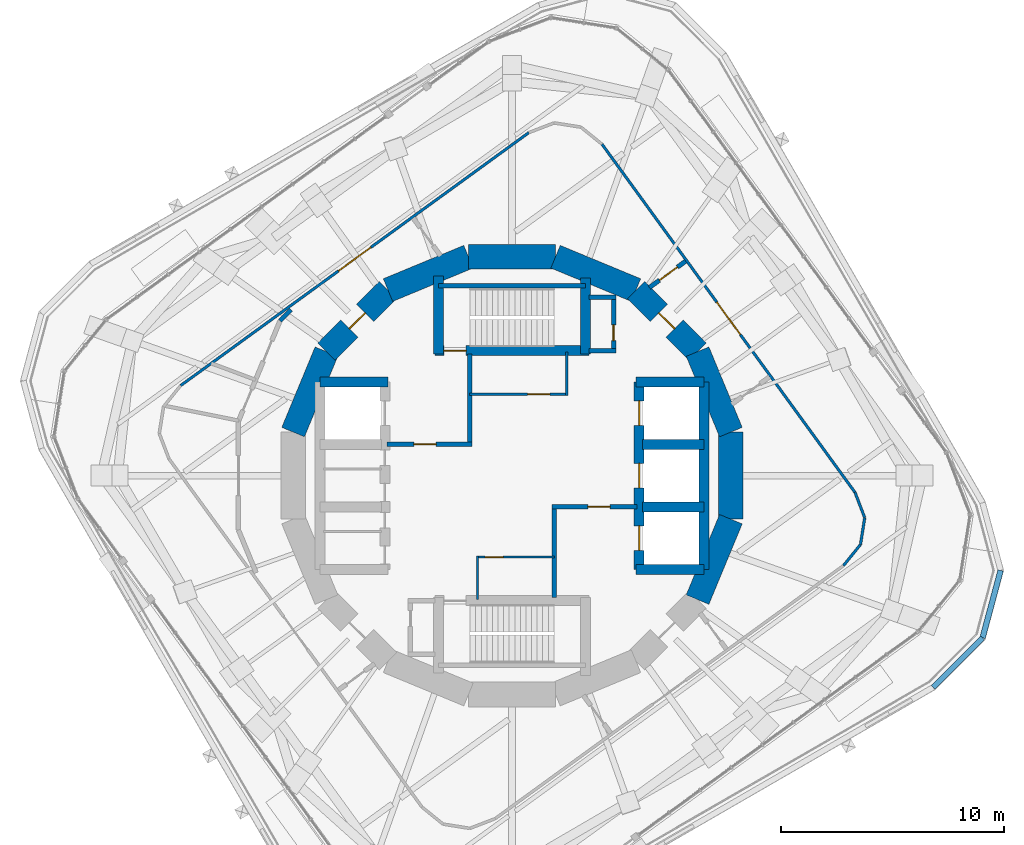
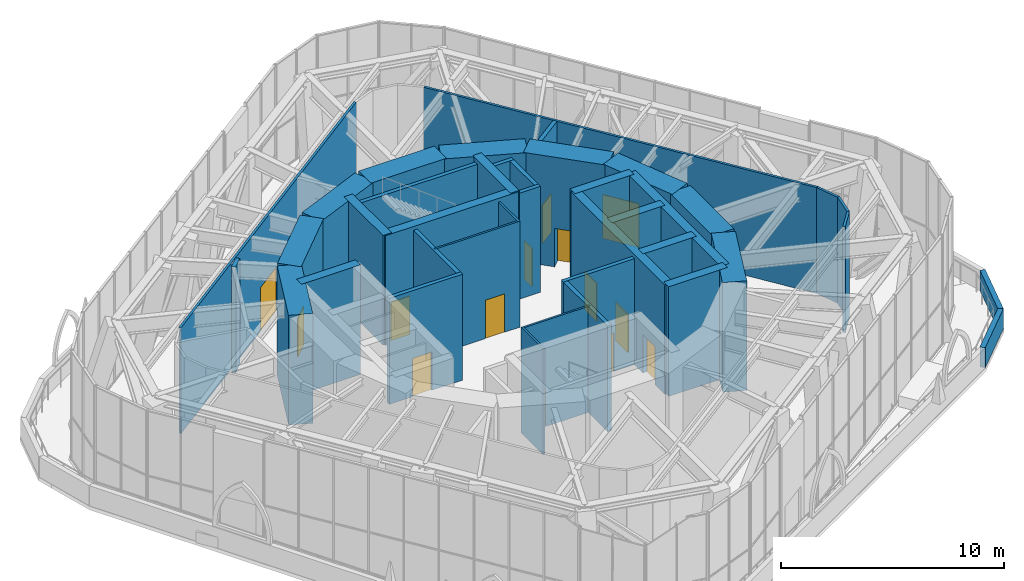
# One storey, part 14 of 18: 40 walls, 14 doors, 14 openings.
"""IFC4 building model written with IfcOpenShell, lengths in metres."""

from ifc_helpers import new_model, si_unit, direction, frame, frame_2d, origin, place, context, subcontext, project, spatial, rectangle, extrude, material, layer, layer_set, type_object, element, fill, save


model = new_model("IFC4")

# Units and contexts
model_context = context("Model", 3, precision=1e-05, world=origin(), true_north=direction((0.0, 1.0)))
body_context = subcontext(model_context, "Body", "Model", "MODEL_VIEW")
ifc_project = project(units=[si_unit("LENGTHUNIT", "METRE"), si_unit("AREAUNIT", "SQUARE_METRE"), si_unit("VOLUMEUNIT", "CUBIC_METRE"), si_unit("PLANEANGLEUNIT", "RADIAN"), si_unit("MASSUNIT", "GRAM", prefix="KILO")], contexts=[model_context])

# Site, building, storey
site_placement = place(None, origin())
site = spatial("IfcSite", under=ifc_project, at=site_placement, CompositionType="ELEMENT")
building_placement = place(site_placement, origin())
building = spatial("IfcBuilding", under=site, at=building_placement, Name="Nakasero Lantern House", CompositionType="ELEMENT")
storey_placement = place(building_placement, frame((0.0, 0.0, 257.75)))
storey = spatial("IfcBuildingStorey", under=building, at=storey_placement, Name="L63", CompositionType="ELEMENT", Elevation=257.75)

# Wall, openings, doors
ifc_material_1 = material(Name="Concrete C50/60", Category="concrete")
ifc_layer_1 = layer(ifc_material_1, 0.449951171875)
ifc_layer_set_1 = layer_set([ifc_layer_1], Name="Core inner wall 450")
wall_type_1 = type_object("IfcWallType", Name="Core inner wall 450", PredefinedType="SHEAR", material=ifc_layer_set_1)
wall_1_placement = place(storey_placement, frame((5.699951171875, -4.199951171875, 0.0), z_axis=(0.0, 0.0, 1.0), x_axis=(0.0, 1.0, 0.0)))
wall_1 = element("IfcWall", 1, at=wall_1_placement, inside=storey, type_object=wall_type_1, Name="Core inner wall L63 LE", PredefinedType="SHEAR", context=body_context, shape_type="SweptSolid", body=[
    extrude(rectangle(XDim=8.39990234375, YDim=0.449951171875, at=frame_2d((4.199951171875, 0.0))), origin(), (0.0, 0.0, 1.0), 6.0),
])
opening_1_placement = place(wall_1_placement, frame((0.85009765625, 0.0, 0.0)))
opening_1 = element("IfcOpeningElement", 2, at=opening_1_placement, cuts=wall_1, Name="Opening LD", PredefinedType="OPENING", context=body_context, shape_type="SweptSolid", body=[
    extrude(rectangle(XDim=1.10009765625, YDim=2.10009765625, at=frame_2d((0.550048828125, 1.050048828125))), frame((0.0, 0.244873046875, 0.0), z_axis=(0.0, -1.0, 0.0), x_axis=(1.0, 0.0, 0.0)), (0.0, 0.0, 1.0), 0.489990234375),
])
opening_2_placement = place(wall_1_placement, frame((3.64990234375, 0.0, 0.0)))
opening_2 = element("IfcOpeningElement", 3, at=opening_2_placement, cuts=wall_1, Name="Opening LD", PredefinedType="OPENING", context=body_context, shape_type="SweptSolid", body=[
    extrude(rectangle(XDim=1.10009765625, YDim=2.10009765625, at=frame_2d((0.550048828125, 1.050048828125))), frame((0.0, 0.244873046875, 0.0), z_axis=(0.0, -1.0, 0.0), x_axis=(1.0, 0.0, 0.0)), (0.0, 0.0, 1.0), 0.489990234375),
])
opening_3_placement = place(wall_1_placement, frame((6.449951171875, 0.0, 0.0)))
opening_3 = element("IfcOpeningElement", 4, at=opening_3_placement, cuts=wall_1, Name="Opening LD", PredefinedType="OPENING", context=body_context, shape_type="SweptSolid", body=[
    extrude(rectangle(XDim=1.10009765625, YDim=2.10009765625, at=frame_2d((0.550048828125, 1.050048828125))), frame((0.0, 0.244873046875, 0.0), z_axis=(0.0, -1.0, 0.0), x_axis=(1.0, 0.0, 0.0)), (0.0, 0.0, 1.0), 0.489990234375),
])
ifc_material_2 = material(Name="Steel S355", Category="steel")
door_type_1 = type_object("IfcDoorType", Name="Lift landing door E120 1100", OperationType="SLIDING_TO_LEFT", PredefinedType="DOOR", material=ifc_material_2)
door_1_placement = place(opening_1_placement, origin())
door_1 = element("IfcDoor", 5, at=door_1_placement, inside=storey, type_object=door_type_1, Name="Lift landing door LE1", OperationType="SLIDING_TO_LEFT", OverallHeight=2.10009765625, OverallWidth=1.10009765625, PredefinedType="DOOR", context=body_context, shape_type="SweptSolid", body=[
    extrude(rectangle(XDim=1.10009765625, YDim=2.10009765625, at=frame_2d((0.550048828125, 1.050048828125))), frame((0.0, 0.02490234375, 0.0), z_axis=(0.0, -1.0, 0.0), x_axis=(1.0, 0.0, 0.0)), (0.0, 0.0, 1.0), 0.050048828125),
])
fill(opening_1, door_1)
door_2_placement = place(opening_2_placement, origin())
door_2 = element("IfcDoor", 6, at=door_2_placement, inside=storey, type_object=door_type_1, Name="Lift landing door LE2", OperationType="SLIDING_TO_LEFT", OverallHeight=2.10009765625, OverallWidth=1.10009765625, PredefinedType="DOOR", context=body_context, shape_type="SweptSolid", body=[
    extrude(rectangle(XDim=1.10009765625, YDim=2.10009765625, at=frame_2d((0.550048828125, 1.050048828125))), frame((0.0, 0.02490234375, 0.0), z_axis=(0.0, -1.0, 0.0), x_axis=(1.0, 0.0, 0.0)), (0.0, 0.0, 1.0), 0.050048828125),
])
fill(opening_2, door_2)
door_3_placement = place(opening_3_placement, origin())
door_3 = element("IfcDoor", 7, at=door_3_placement, inside=storey, type_object=door_type_1, Name="Lift landing door LE3", OperationType="SLIDING_TO_LEFT", OverallHeight=2.10009765625, OverallWidth=1.10009765625, PredefinedType="DOOR", context=body_context, shape_type="SweptSolid", body=[
    extrude(rectangle(XDim=1.10009765625, YDim=2.10009765625, at=frame_2d((0.550048828125, 1.050048828125))), frame((0.0, 0.02490234375, 0.0), z_axis=(0.0, -1.0, 0.0), x_axis=(1.0, 0.0, 0.0)), (0.0, 0.0, 1.0), 0.050048828125),
])
fill(opening_3, door_3)

# Walls
for number, where, z_axis, x_axis, name in (
    (8, (-8.60009765625, 4.199951171875, 0.0), (0.0, 0.0, 1.0), (1.0, 0.0, 0.0), "Core inner wall L63 LWN"),
    (9, (5.550048828125, 4.199951171875, 0.0), (0.0, 0.0, 1.0), (1.0, 0.0, 0.0), "Core inner wall L63 LEN"),
    (10, (5.550048828125, -4.199951171875, 0.0), (0.0, 0.0, 1.0), (1.0, 0.0, 0.0), "Core inner wall L63 LES"),
):
    element("IfcWall", number, at=place(storey_placement, frame(where, z_axis=z_axis, x_axis=x_axis)), inside=storey, type_object=wall_type_1, Name=name, PredefinedType="SHEAR", context=body_context, shape_type="SweptSolid", body=[
        extrude(rectangle(XDim=3.050048828125, YDim=0.449951171875, at=frame_2d((1.52490234375, 0.0))), origin(), (0.0, 0.0, 1.0), 6.0),
    ])
wall_2_placement = place(storey_placement, frame((8.60009765625, -4.199951171875, 0.0), z_axis=(0.0, 0.0, 1.0), x_axis=(0.0, 1.0, 0.0)))
element("IfcWall", 11, at=wall_2_placement, inside=storey, type_object=wall_type_1, Name="Core inner wall L63 LEB", PredefinedType="SHEAR", context=body_context, shape_type="SweptSolid", body=[
    extrude(rectangle(XDim=8.39990234375, YDim=0.449951171875, at=frame_2d((4.199951171875, 0.0))), origin(), (0.0, 0.0, 1.0), 6.0),
])
for number, where, z_axis, x_axis, name in (
    (12, (5.85009765625, -1.39990234375, 0.0), (0.0, 0.0, 1.0), (1.0, 0.0, 0.0), "Core inner wall L63 LE1"),
    (13, (5.85009765625, 1.39990234375, 0.0), (0.0, 0.0, 1.0), (1.0, 0.0, 0.0), "Core inner wall L63 LE2"),
):
    element("IfcWall", number, at=place(storey_placement, frame(where, z_axis=z_axis, x_axis=x_axis)), inside=storey, type_object=wall_type_1, Name=name, PredefinedType="SHEAR", context=body_context, shape_type="SweptSolid", body=[
        extrude(rectangle(XDim=2.75, YDim=0.449951171875, at=frame_2d((1.375, 0.0))), origin(), (0.0, 0.0, 1.0), 6.0),
    ])

# Wall, opening, door
wall_3_placement = place(storey_placement, frame((-3.449951171875, 5.60009765625, 0.0), z_axis=(0.0, 0.0, 1.0), x_axis=(1.0, 0.0, 0.0)))
wall_3 = element("IfcWall", 14, at=wall_3_placement, inside=storey, type_object=wall_type_1, Name="Core inner wall L63 SN", PredefinedType="SHEAR", context=body_context, shape_type="SweptSolid", body=[
    extrude(rectangle(XDim=6.89990234375, YDim=0.449951171875, at=frame_2d((3.449951171875, 0.0))), origin(), (0.0, 0.0, 1.0), 6.0),
])
opening_4_placement = place(wall_3_placement, frame((0.39990234375, 0.0, 0.0)))
opening_4 = element("IfcOpeningElement", 15, at=opening_4_placement, cuts=wall_3, Name="Opening D05", PredefinedType="OPENING", context=body_context, shape_type="SweptSolid", body=[
    extrude(rectangle(XDim=1.0, YDim=2.10009765625, at=frame_2d((0.5, 1.050048828125))), frame((0.0, 0.244873046875, 0.0), z_axis=(0.0, -1.0, 0.0), x_axis=(1.0, 0.0, 0.0)), (0.0, 0.0, 1.0), 0.489990234375),
])
ifc_material_3 = material(Name="Timber C24", Category="wood")
door_type_2 = type_object("IfcDoorType", Name="Core door FD60S 1000", OperationType="SINGLE_SWING_LEFT", PredefinedType="DOOR", material=ifc_material_3)
door_4_placement = place(opening_4_placement, origin())
door_4 = element("IfcDoor", 16, at=door_4_placement, inside=storey, type_object=door_type_2, Name="Door L63 D-ST1", OperationType="SINGLE_SWING_LEFT", OverallHeight=2.10009765625, OverallWidth=1.0, PredefinedType="DOOR", context=body_context, shape_type="SweptSolid", body=[
    extrude(rectangle(XDim=1.0, YDim=2.10009765625, at=frame_2d((0.5, 1.050048828125))), frame((0.0, 0.02490234375, 0.0), z_axis=(0.0, -1.0, 0.0), x_axis=(1.0, 0.0, 0.0)), (0.0, 0.0, 1.0), 0.050048828125),
])
fill(opening_4, door_4)

# Walls
wall_4_placement = place(storey_placement, frame((-3.300048828125, 5.449951171875, 0.0), z_axis=(0.0, 0.0, 1.0), x_axis=(0.0, 1.0, 0.0)))
element("IfcWall", 17, at=wall_4_placement, inside=storey, type_object=wall_type_1, Name="Core inner wall L63 SNW", PredefinedType="SHEAR", context=body_context, shape_type="SweptSolid", body=[
    extrude(rectangle(XDim=3.5, YDim=0.449951171875, at=frame_2d((1.75, 0.0))), origin(), (0.0, 0.0, 1.0), 6.0),
])
wall_5_placement = place(storey_placement, frame((3.300048828125, 5.449951171875, 0.0), z_axis=(0.0, 0.0, 1.0), x_axis=(0.0, 1.0, 0.0)))
element("IfcWall", 18, at=wall_5_placement, inside=storey, type_object=wall_type_1, Name="Core inner wall L63 SNE", PredefinedType="SHEAR", context=body_context, shape_type="SweptSolid", body=[
    extrude(rectangle(XDim=3.400146484375, YDim=0.449951171875, at=frame_2d((1.7001953125, 0.0))), origin(), (0.0, 0.0, 1.0), 6.0),
])

# Wall, opening, door
ifc_material_4 = material(Name="Blockwork", Category="masonry")
ifc_layer_2 = layer(ifc_material_4, 0.10009765625)
ifc_layer_set_2 = layer_set([ifc_layer_2], Name="Core room wall 100")
wall_type_2 = type_object("IfcWallType", Name="Core room wall 100", PredefinedType="PARTITIONING", material=ifc_layer_set_2)
wall_6_placement = place(storey_placement, frame((-1.89990234375, 3.64990234375, 0.0), z_axis=(0.0, 0.0, 1.0), x_axis=(1.0, 0.0, 0.0)))
wall_6 = element("IfcWall", 19, at=wall_6_placement, inside=storey, type_object=wall_type_2, Name="Core room wall L63 CR-NES", PredefinedType="PARTITIONING", context=body_context, shape_type="SweptSolid", body=[
    extrude(rectangle(XDim=4.39990234375, YDim=0.10009765625, at=frame_2d((2.199951171875, 0.0))), origin(), (0.0, 0.0, 1.0), 5.800048828125),
])
opening_5_placement = place(wall_6_placement, frame((2.60009765625, 0.0, 0.0)))
opening_5 = element("IfcOpeningElement", 20, at=opening_5_placement, cuts=wall_6, Name="Opening D07", PredefinedType="OPENING", context=body_context, shape_type="SweptSolid", body=[
    extrude(rectangle(XDim=1.0, YDim=2.10009765625, at=frame_2d((0.5, 1.050048828125))), frame((0.0, 0.070068359375, 0.0), z_axis=(0.0, -1.0, 0.0), x_axis=(1.0, 0.0, 0.0)), (0.0, 0.0, 1.0), 0.14013671875),
])
ifc_material_5 = material(Name="Timber C24", Category="wood")
door_type_3 = type_object("IfcDoorType", Name="Room door FD30S 1000", OperationType="SINGLE_SWING_LEFT", PredefinedType="DOOR", material=ifc_material_5)
door_5_placement = place(opening_5_placement, origin())
door_5 = element("IfcDoor", 21, at=door_5_placement, inside=storey, type_object=door_type_3, Name="Door L63 D-CR-NE", OperationType="SINGLE_SWING_RIGHT", OverallHeight=2.10009765625, OverallWidth=1.0, PredefinedType="DOOR", context=body_context, shape_type="SweptSolid", body=[
    extrude(rectangle(XDim=1.0, YDim=2.10009765625, at=frame_2d((0.5, 1.050048828125))), frame((0.0, 0.02490234375, 0.0), z_axis=(0.0, -1.0, 0.0), x_axis=(1.0, 0.0, 0.0)), (0.0, 0.0, 1.0), 0.050048828125),
])
fill(opening_5, door_5)

# Wall
wall_7_placement = place(storey_placement, frame((2.449951171875, 3.60009765625, 0.0), z_axis=(0.0, 0.0, 1.0), x_axis=(0.0, 1.0, 0.0)))
element("IfcWall", 22, at=wall_7_placement, inside=storey, type_object=wall_type_2, Name="Core room wall L63 CR-NEE", PredefinedType="PARTITIONING", context=body_context, shape_type="SweptSolid", body=[
    extrude(rectangle(XDim=1.949951171875, YDim=0.10009765625, at=frame_2d((0.97509765625, 0.0))), origin(), (0.0, 0.0, 1.0), 5.800048828125),
])

# Wall, opening, door
wall_8_placement = place(storey_placement, frame((-1.60009765625, -3.64990234375, 0.0), z_axis=(0.0, 0.0, 1.0), x_axis=(1.0, 0.0, 0.0)))
wall_8 = element("IfcWall", 23, at=wall_8_placement, inside=storey, type_object=wall_type_2, Name="Core room wall L63 CR-SWN", PredefinedType="PARTITIONING", context=body_context, shape_type="SweptSolid", body=[
    extrude(rectangle(XDim=3.5, YDim=0.10009765625, at=frame_2d((1.75, 0.0))), origin(), (0.0, 0.0, 1.0), 5.800048828125),
])
opening_6_placement = place(wall_8_placement, frame((0.39990234375, 0.0, 0.0)))
opening_6 = element("IfcOpeningElement", 24, at=opening_6_placement, cuts=wall_8, Name="Opening D15", PredefinedType="OPENING", context=body_context, shape_type="SweptSolid", body=[
    extrude(rectangle(XDim=0.800048828125, YDim=2.10009765625, at=frame_2d((0.39990234375, 1.050048828125))), frame((0.0, 0.070068359375, 0.0), z_axis=(0.0, -1.0, 0.0), x_axis=(1.0, 0.0, 0.0)), (0.0, 0.0, 1.0), 0.14013671875),
])
ifc_material_6 = material(Name="Timber C24", Category="wood")
door_type_4 = type_object("IfcDoorType", Name="Cleaner's store door FD30S 800", OperationType="SINGLE_SWING_LEFT", PredefinedType="DOOR", material=ifc_material_6)
door_6_placement = place(opening_6_placement, origin())
door_6 = element("IfcDoor", 25, at=door_6_placement, inside=storey, type_object=door_type_4, Name="Door L63 D-CR-SW", OperationType="SINGLE_SWING_LEFT", OverallHeight=2.10009765625, OverallWidth=0.800048828125, PredefinedType="DOOR", context=body_context, shape_type="SweptSolid", body=[
    extrude(rectangle(XDim=0.800048828125, YDim=2.10009765625, at=frame_2d((0.39990234375, 1.050048828125))), frame((0.0, 0.02490234375, 0.0), z_axis=(0.0, -1.0, 0.0), x_axis=(1.0, 0.0, 0.0)), (0.0, 0.0, 1.0), 0.050048828125),
])
fill(opening_6, door_6)

# Walls
wall_9_placement = place(storey_placement, frame((-1.550048828125, -5.550048828125, 0.0), z_axis=(0.0, 0.0, 1.0), x_axis=(0.0, 1.0, 0.0)))
element("IfcWall", 26, at=wall_9_placement, inside=storey, type_object=wall_type_2, Name="Core room wall L63 CR-SWW", PredefinedType="PARTITIONING", context=body_context, shape_type="SweptSolid", body=[
    extrude(rectangle(XDim=1.949951171875, YDim=0.10009765625, at=frame_2d((0.97509765625, 0.0))), origin(), (0.0, 0.0, 1.0), 5.800048828125),
])
ifc_material_7 = material(Name="Concrete C50/60", Category="concrete")
ifc_layer_3 = layer(ifc_material_7, 1.10009765625)
ifc_layer_set_3 = layer_set([ifc_layer_3], Name="Core wall 1100")
wall_type_3 = type_object("IfcWallType", Name="Core wall 1100", PredefinedType="SHEAR", material=ifc_layer_set_3)
wall_10_placement = place(storey_placement, frame((9.807861328125, 1.950927734375, 0.0), z_axis=(0.0, 0.0, 1.0), x_axis=(-0.382690736062, 0.923876507187, 0.0)))
element("IfcWall", 27, at=wall_10_placement, inside=storey, type_object=wall_type_3, Name="Core wall L63 facet 1", PredefinedType="SHEAR", context=body_context, shape_type="SweptSolid", body=[
    extrude(rectangle(XDim=3.90185546875, YDim=1.10009765625, at=frame_2d((1.950927734375, 0.0))), origin(), (0.0, 0.0, 1.0), 6.0),
])

# Wall, opening, door
wall_11_placement = place(storey_placement, frame((8.314697265625, 5.5556640625, 0.0), z_axis=(0.0, 0.0, 1.0), x_axis=(-0.707106781187, 0.707106781187, 0.0)))
wall_11 = element("IfcWall", 28, at=wall_11_placement, inside=storey, type_object=wall_type_3, Name="Core wall L63 facet 2", PredefinedType="SHEAR", context=body_context, shape_type="SweptSolid", body=[
    extrude(rectangle(XDim=3.90185546875, YDim=1.10009765625, at=frame_2d((1.950927734375, 0.0))), origin(), (0.0, 0.0, 1.0), 6.0),
])
opening_7_placement = place(wall_11_placement, frame((1.450927734375, 0.0, 0.0)))
opening_7 = element("IfcOpeningElement", 29, at=opening_7_placement, cuts=wall_11, Name="Opening D05", PredefinedType="OPENING", context=body_context, shape_type="SweptSolid", body=[
    extrude(rectangle(XDim=1.0, YDim=2.10009765625, at=frame_2d((0.5, 1.050048828125))), frame((0.0, 0.570068359375, 0.0), z_axis=(0.0, -1.0, 0.0), x_axis=(1.0, 0.0, 0.0)), (0.0, 0.0, 1.0), 1.14013671875),
])
door_7_placement = place(opening_7_placement, origin())
door_7 = element("IfcDoor", 30, at=door_7_placement, inside=storey, type_object=door_type_2, Name="Door L63 D-CORE02", OperationType="SINGLE_SWING_LEFT", OverallHeight=2.10009765625, OverallWidth=1.0, PredefinedType="DOOR", context=body_context, shape_type="SweptSolid", body=[
    extrude(rectangle(XDim=1.0, YDim=2.10009765625, at=frame_2d((0.5, 1.050048828125))), frame((0.0, 0.02490234375, 0.0), z_axis=(0.0, -1.0, 0.0), x_axis=(1.0, 0.0, 0.0)), (0.0, 0.0, 1.0), 0.050048828125),
])
fill(opening_7, door_7)

# Walls
for number, where, z_axis, x_axis, name in (
    (31, (5.5556640625, 8.314697265625, 0.0), (0.0, 0.0, 1.0), (-0.923876507187, 0.382690736062, 0.0), "Core wall L63 facet 3"),
    (32, (1.950927734375, 9.807861328125, 0.0), (0.0, 0.0, 1.0), (-1.0, 0.0, 0.0), "Core wall L63 facet 4"),
    (33, (-1.950927734375, 9.807861328125, 0.0), (0.0, 0.0, 1.0), (-0.923876507187, -0.382690736062, 0.0), "Core wall L63 facet 5"),
):
    element("IfcWall", number, at=place(storey_placement, frame(where, z_axis=z_axis, x_axis=x_axis)), inside=storey, type_object=wall_type_3, Name=name, PredefinedType="SHEAR", context=body_context, shape_type="SweptSolid", body=[
        extrude(rectangle(XDim=3.90185546875, YDim=1.10009765625, at=frame_2d((1.950927734375, 0.0))), origin(), (0.0, 0.0, 1.0), 6.0),
    ])

# Wall, opening, door
wall_12_placement = place(storey_placement, frame((-5.5556640625, 8.314697265625, 0.0), z_axis=(0.0, 0.0, 1.0), x_axis=(-0.707106781187, -0.707106781187, 0.0)))
wall_12 = element("IfcWall", 34, at=wall_12_placement, inside=storey, type_object=wall_type_3, Name="Core wall L63 facet 6", PredefinedType="SHEAR", context=body_context, shape_type="SweptSolid", body=[
    extrude(rectangle(XDim=3.90185546875, YDim=1.10009765625, at=frame_2d((1.950927734375, 0.0))), origin(), (0.0, 0.0, 1.0), 6.0),
])
opening_8_placement = place(wall_12_placement, frame((1.450927734375, 0.0, 0.0)))
opening_8 = element("IfcOpeningElement", 35, at=opening_8_placement, cuts=wall_12, Name="Opening D05", PredefinedType="OPENING", context=body_context, shape_type="SweptSolid", body=[
    extrude(rectangle(XDim=1.0, YDim=2.10009765625, at=frame_2d((0.5, 1.050048828125))), frame((0.0, 0.570068359375, 0.0), z_axis=(0.0, -1.0, 0.0), x_axis=(1.0, 0.0, 0.0)), (0.0, 0.0, 1.0), 1.14013671875),
])
door_8_placement = place(opening_8_placement, origin())
door_8 = element("IfcDoor", 36, at=door_8_placement, inside=storey, type_object=door_type_2, Name="Door L63 D-CORE06", OperationType="SINGLE_SWING_LEFT", OverallHeight=2.10009765625, OverallWidth=1.0, PredefinedType="DOOR", context=body_context, shape_type="SweptSolid", body=[
    extrude(rectangle(XDim=1.0, YDim=2.10009765625, at=frame_2d((0.5, 1.050048828125))), frame((0.0, 0.02490234375, 0.0), z_axis=(0.0, -1.0, 0.0), x_axis=(1.0, 0.0, 0.0)), (0.0, 0.0, 1.0), 0.050048828125),
])
fill(opening_8, door_8)

# Walls
for number, where, z_axis, x_axis, name in (
    (37, (-8.314697265625, 5.5556640625, 0.0), (0.0, 0.0, 1.0), (-0.382690736062, -0.923876507187, 0.0), "Core wall L63 facet 7"),
    (38, (8.314697265625, -5.5556640625, 0.0), (0.0, 0.0, 1.0), (0.382690736062, 0.923876507187, 0.0), "Core wall L63 facet 15"),
    (39, (9.807861328125, -1.950927734375, 0.0), (0.0, 0.0, 1.0), (0.0, 1.0, 0.0), "Core wall L63 facet 16"),
):
    element("IfcWall", number, at=place(storey_placement, frame(where, z_axis=z_axis, x_axis=x_axis)), inside=storey, type_object=wall_type_3, Name=name, PredefinedType="SHEAR", context=body_context, shape_type="SweptSolid", body=[
        extrude(rectangle(XDim=3.90185546875, YDim=1.10009765625, at=frame_2d((1.950927734375, 0.0))), origin(), (0.0, 0.0, 1.0), 6.0),
    ])
ifc_material_8 = material(Name="Blockwork", Category="masonry")
ifc_layer_4 = layer(ifc_material_8, 0.199951171875)
ifc_layer_set_4 = layer_set([ifc_layer_4], Name="Corridor wall 200")
wall_type_4 = type_object("IfcWallType", Name="Corridor wall 200", PredefinedType="PARTITIONING", material=ifc_layer_set_4)
wall_13_placement = place(storey_placement, frame((-10.3916015625, 6.943603515625, 0.0), z_axis=(0.0, 0.0, 1.0), x_axis=(0.707106781187, 0.707106781187, 0.0)))
element("IfcWall", 40, at=wall_13_placement, inside=storey, type_object=wall_type_4, Name="Corridor wall L63 TC03", PredefinedType="PARTITIONING", context=body_context, shape_type="SweptSolid", body=[
    extrude(rectangle(XDim=0.688232421875, YDim=0.199951171875, at=frame_2d((0.34423828125, 0.0))), origin(), (0.0, 0.0, 1.0), 5.800048828125),
])

# Wall, opening, door
wall_14_placement = place(storey_placement, frame((6.1552734375, 8.428955078125, 0.0), z_axis=(0.0, 0.0, 1.0), x_axis=(0.808983112951, 0.587831883246, 0.0)))
wall_14 = element("IfcWall", 41, at=wall_14_placement, inside=storey, type_object=wall_type_4, Name="Corridor wall L63 TQ01", PredefinedType="PARTITIONING", context=body_context, shape_type="SweptSolid", body=[
    extrude(rectangle(XDim=2.008056640625, YDim=0.199951171875, at=frame_2d((1.00390625, 0.0))), origin(), (0.0, 0.0, 1.0), 5.800048828125),
])
opening_9_placement = place(wall_14_placement, frame((0.55859375, 0.0, 0.0)))
opening_9 = element("IfcOpeningElement", 42, at=opening_9_placement, cuts=wall_14, Name="Opening D03", PredefinedType="OPENING", context=body_context, shape_type="SweptSolid", body=[
    extrude(rectangle(XDim=1.0, YDim=2.10009765625, at=frame_2d((0.5, 1.050048828125))), frame((0.0, 0.119873046875, 0.0), z_axis=(0.0, -1.0, 0.0), x_axis=(1.0, 0.0, 0.0)), (0.0, 0.0, 1.0), 0.239990234375),
])
ifc_material_9 = material(Name="Timber C24", Category="wood")
door_type_5 = type_object("IfcDoorType", Name="Lounge door FD30S 1000", OperationType="SINGLE_SWING_LEFT", PredefinedType="DOOR", material=ifc_material_9)
door_9_placement = place(opening_9_placement, origin())
door_9 = element("IfcDoor", 43, at=door_9_placement, inside=storey, type_object=door_type_5, Name="Door L63 DQ01", OperationType="SINGLE_SWING_RIGHT", OverallHeight=2.10009765625, OverallWidth=1.0, PredefinedType="DOOR", context=body_context, shape_type="SweptSolid", body=[
    extrude(rectangle(XDim=1.0, YDim=2.10009765625, at=frame_2d((0.5, 1.050048828125))), frame((0.0, 0.02490234375, 0.0), z_axis=(0.0, -1.0, 0.0), x_axis=(1.0, 0.0, 0.0)), (0.0, 0.0, 1.0), 0.050048828125),
])
fill(opening_9, door_9)

ifc_material_10 = material(Name="Blockwork", Category="masonry")
ifc_layer_5 = layer(ifc_material_10, 0.199951171875)
ifc_layer_set_5 = layer_set([ifc_layer_5], Name="Fire lobby wall 200")
wall_type_5 = type_object("IfcWallType", Name="Fire lobby wall 200", PredefinedType="PARTITIONING", material=ifc_layer_set_5)
wall_15_placement = place(storey_placement, frame((-5.60009765625, 1.39990234375, 0.0), z_axis=(0.0, 0.0, 1.0), x_axis=(1.0, 0.0, 0.0)))
wall_15 = element("IfcWall", 44, at=wall_15_placement, inside=storey, type_object=wall_type_5, Name="Fire lobby wall L63 W-FL1S", PredefinedType="PARTITIONING", context=body_context, shape_type="SweptSolid", body=[
    extrude(rectangle(XDim=3.800048828125, YDim=0.199951171875, at=frame_2d((1.89990234375, 0.0))), origin(), (0.0, 0.0, 1.0), 5.800048828125),
])
opening_10_placement = place(wall_15_placement, frame((1.199951171875, 0.0, 0.0)))
opening_10 = element("IfcOpeningElement", 45, at=opening_10_placement, cuts=wall_15, Name="Opening D05", PredefinedType="OPENING", context=body_context, shape_type="SweptSolid", body=[
    extrude(rectangle(XDim=1.0, YDim=2.10009765625, at=frame_2d((0.5, 1.050048828125))), frame((0.0, 0.119873046875, 0.0), z_axis=(0.0, -1.0, 0.0), x_axis=(1.0, 0.0, 0.0)), (0.0, 0.0, 1.0), 0.239990234375),
])
door_10_placement = place(opening_10_placement, origin())
door_10 = element("IfcDoor", 46, at=door_10_placement, inside=storey, type_object=door_type_2, Name="Door L63 D-FL1", OperationType="SINGLE_SWING_LEFT", OverallHeight=2.10009765625, OverallWidth=1.0, PredefinedType="DOOR", context=body_context, shape_type="SweptSolid", body=[
    extrude(rectangle(XDim=1.0, YDim=2.10009765625, at=frame_2d((0.5, 1.050048828125))), frame((0.0, 0.02490234375, 0.0), z_axis=(0.0, -1.0, 0.0), x_axis=(1.0, 0.0, 0.0)), (0.0, 0.0, 1.0), 0.050048828125),
])
fill(opening_10, door_10)

# Wall
wall_16_placement = place(storey_placement, frame((-1.89990234375, 1.5, 0.0), z_axis=(0.0, 0.0, 1.0), x_axis=(0.0, 1.0, 0.0)))
element("IfcWall", 47, at=wall_16_placement, inside=storey, type_object=wall_type_5, Name="Fire lobby wall L63 W-FL1E", PredefinedType="PARTITIONING", context=body_context, shape_type="SweptSolid", body=[
    extrude(rectangle(XDim=3.949951171875, YDim=0.199951171875, at=frame_2d((1.97509765625, 0.0))), origin(), (0.0, 0.0, 1.0), 5.800048828125),
])

# Wall, opening, door
wall_17_placement = place(storey_placement, frame((5.60009765625, -1.39990234375, 0.0), z_axis=(0.0, 0.0, 1.0), x_axis=(-1.0, 0.0, 0.0)))
wall_17 = element("IfcWall", 48, at=wall_17_placement, inside=storey, type_object=wall_type_5, Name="Fire lobby wall L63 W-FL2N", PredefinedType="PARTITIONING", context=body_context, shape_type="SweptSolid", body=[
    extrude(rectangle(XDim=3.800048828125, YDim=0.199951171875, at=frame_2d((1.89990234375, 0.0))), origin(), (0.0, 0.0, 1.0), 5.800048828125),
])
opening_11_placement = place(wall_17_placement, frame((1.199951171875, 0.0, 0.0)))
opening_11 = element("IfcOpeningElement", 49, at=opening_11_placement, cuts=wall_17, Name="Opening D05", PredefinedType="OPENING", context=body_context, shape_type="SweptSolid", body=[
    extrude(rectangle(XDim=1.0, YDim=2.10009765625, at=frame_2d((0.5, 1.050048828125))), frame((0.0, 0.119873046875, 0.0), z_axis=(0.0, -1.0, 0.0), x_axis=(1.0, 0.0, 0.0)), (0.0, 0.0, 1.0), 0.239990234375),
])
door_11_placement = place(opening_11_placement, origin())
door_11 = element("IfcDoor", 50, at=door_11_placement, inside=storey, type_object=door_type_2, Name="Door L63 D-FL2", OperationType="SINGLE_SWING_LEFT", OverallHeight=2.10009765625, OverallWidth=1.0, PredefinedType="DOOR", context=body_context, shape_type="SweptSolid", body=[
    extrude(rectangle(XDim=1.0, YDim=2.10009765625, at=frame_2d((0.5, 1.050048828125))), frame((0.0, 0.02490234375, 0.0), z_axis=(0.0, -1.0, 0.0), x_axis=(1.0, 0.0, 0.0)), (0.0, 0.0, 1.0), 0.050048828125),
])
fill(opening_11, door_11)

# Wall
wall_18_placement = place(storey_placement, frame((1.89990234375, -1.5, 0.0), z_axis=(0.0, 0.0, 1.0), x_axis=(0.0, -1.0, 0.0)))
element("IfcWall", 51, at=wall_18_placement, inside=storey, type_object=wall_type_5, Name="Fire lobby wall L63 W-FL2W", PredefinedType="PARTITIONING", context=body_context, shape_type="SweptSolid", body=[
    extrude(rectangle(XDim=3.949951171875, YDim=0.199951171875, at=frame_2d((1.97509765625, 0.0))), origin(), (0.0, 0.0, 1.0), 5.800048828125),
])

# Wall, opening, door
wall_19_placement = place(storey_placement, frame((4.550048828125, 5.60009765625, 0.0), z_axis=(0.0, 0.0, 1.0), x_axis=(0.0, 1.0, 0.0)))
wall_19 = element("IfcWall", 52, at=wall_19_placement, inside=storey, type_object=wall_type_5, Name="Fire lobby wall L63 W-RS1E", PredefinedType="PARTITIONING", context=body_context, shape_type="SweptSolid", body=[
    extrude(rectangle(XDim=2.39990234375, YDim=0.199951171875, at=frame_2d((1.199951171875, 0.0))), origin(), (0.0, 0.0, 1.0), 5.800048828125),
])
opening_12_placement = place(wall_19_placement, frame((0.449951171875, 0.0, 0.0)))
opening_12 = element("IfcOpeningElement", 53, at=opening_12_placement, cuts=wall_19, Name="Opening D06", PredefinedType="OPENING", context=body_context, shape_type="SweptSolid", body=[
    extrude(rectangle(XDim=0.699951171875, YDim=2.10009765625, at=frame_2d((0.35009765625, 1.050048828125))), frame((0.0, 0.119873046875, 0.0), z_axis=(0.0, -1.0, 0.0), x_axis=(1.0, 0.0, 0.0)), (0.0, 0.0, 1.0), 0.239990234375),
])
ifc_material_11 = material(Name="Steel S355", Category="steel")
door_type_6 = type_object("IfcDoorType", Name="Riser door FD60 700", OperationType="SINGLE_SWING_LEFT", PredefinedType="DOOR", material=ifc_material_11)
door_12_placement = place(opening_12_placement, origin())
door_12 = element("IfcDoor", 54, at=door_12_placement, inside=storey, type_object=door_type_6, Name="Door L63 D-RS1", OperationType="SINGLE_SWING_LEFT", OverallHeight=2.10009765625, OverallWidth=0.699951171875, PredefinedType="DOOR", context=body_context, shape_type="SweptSolid", body=[
    extrude(rectangle(XDim=0.699951171875, YDim=2.10009765625, at=frame_2d((0.35009765625, 1.050048828125))), frame((0.0, 0.02490234375, 0.0), z_axis=(0.0, -1.0, 0.0), x_axis=(1.0, 0.0, 0.0)), (0.0, 0.0, 1.0), 0.050048828125),
])
fill(opening_12, door_12)

# Walls
for number, where, z_axis, x_axis, name in (
    (55, (3.449951171875, 8.0, 0.0), (0.0, 0.0, 1.0), (1.0, 0.0, 0.0), "Fire lobby wall L63 W-RS1N"),
    (56, (3.449951171875, 5.60009765625, 0.0), (0.0, 0.0, 1.0), (1.0, 0.0, 0.0), "Fire lobby wall L63 W-RS1S"),
):
    element("IfcWall", number, at=place(storey_placement, frame(where, z_axis=z_axis, x_axis=x_axis)), inside=storey, type_object=wall_type_5, Name=name, PredefinedType="PARTITIONING", context=body_context, shape_type="SweptSolid", body=[
        extrude(rectangle(XDim=1.199951171875, YDim=0.199951171875, at=frame_2d((0.60009765625, 0.0))), origin(), (0.0, 0.0, 1.0), 5.800048828125),
    ])
wall_20_placement = place(storey_placement, frame((-3.300048828125, 8.5, 0.0), z_axis=(0.0, 0.0, 1.0), x_axis=(1.0, 0.0, 0.0)))
element("IfcWall", 57, at=wall_20_placement, inside=storey, type_object=wall_type_5, Name="Fire lobby wall L63 W-STN", PredefinedType="PARTITIONING", context=body_context, shape_type="SweptSolid", body=[
    extrude(rectangle(XDim=6.60009765625, YDim=0.199951171875, at=frame_2d((3.300048828125, 0.0))), origin(), (0.0, 0.0, 1.0), 5.800048828125),
])

# Wall, opening, door
ifc_material_12 = material(Name="Aluminium 6063-T6 and glass", Category="aluminium")
ifc_layer_6 = layer(ifc_material_12, 0.1201171875)
ifc_layer_set_6 = layer_set([ifc_layer_6], Name="Glazed screen 120")
wall_type_6 = type_object("IfcWallType", Name="Glazed screen 120", PredefinedType="PARTITIONING", material=ifc_layer_set_6)
wall_21_placement = place(storey_placement, frame((15.369384765625, -0.751953125, 0.0), z_axis=(0.0, 0.0, 1.0), x_axis=(-0.587777184047, 0.809022856237, 0.0)))
wall_21 = element("IfcWall", 58, at=wall_21_placement, inside=storey, type_object=wall_type_6, Name="Glazed screen L63 WG0S", PredefinedType="PARTITIONING", context=body_context, shape_type="SweptSolid", body=[
    extrude(rectangle(XDim=19.284423828125, YDim=0.1201171875, at=frame_2d((9.64208984375, 0.0))), origin(), (0.0, 0.0, 1.0), 5.800048828125),
])
opening_13_placement = place(wall_21_placement, frame((8.7421875, 0.0, 0.0)))
opening_13 = element("IfcOpeningElement", 59, at=opening_13_placement, cuts=wall_21, Name="Opening D18", PredefinedType="OPENING", context=body_context, shape_type="SweptSolid", body=[
    extrude(rectangle(XDim=1.800048828125, YDim=2.39990234375, at=frame_2d((0.89990234375, 1.199951171875))), frame((0.0, 0.080078125, 0.0), z_axis=(0.0, -1.0, 0.0), x_axis=(1.0, 0.0, 0.0)), (0.0, 0.0, 1.0), 0.16015625),
])
ifc_material_13 = material(Name="Aluminium 6063-T6 and glass", Category="aluminium")
door_type_7 = type_object("IfcDoorType", Name="Glazed screen door 1800", OperationType="DOUBLE_DOOR_SINGLE_SWING", PredefinedType="DOOR", material=ifc_material_13)
door_13_placement = place(opening_13_placement, origin())
door_13 = element("IfcDoor", 60, at=door_13_placement, inside=storey, type_object=door_type_7, Name="Door L63 DW0", OperationType="DOUBLE_DOOR_SINGLE_SWING", OverallHeight=2.39990234375, OverallWidth=1.800048828125, PredefinedType="DOOR", context=body_context, shape_type="SweptSolid", body=[
    extrude(rectangle(XDim=1.800048828125, YDim=2.39990234375, at=frame_2d((0.89990234375, 1.199951171875))), frame((0.0, 0.02490234375, 0.0), z_axis=(0.0, -1.0, 0.0), x_axis=(1.0, 0.0, 0.0)), (0.0, 0.0, 1.0), 0.050048828125),
])
fill(opening_13, door_13)

wall_22_placement = place(storey_placement, frame((0.751953125, 15.369384765625, 0.0), z_axis=(0.0, 0.0, 1.0), x_axis=(-0.809022856237, -0.587777184047, 0.0)))
wall_22 = element("IfcWall", 61, at=wall_22_placement, inside=storey, type_object=wall_type_6, Name="Glazed screen L63 WG1S", PredefinedType="PARTITIONING", context=body_context, shape_type="SweptSolid", body=[
    extrude(rectangle(XDim=19.284423828125, YDim=0.1201171875, at=frame_2d((9.64208984375, 0.0))), origin(), (0.0, 0.0, 1.0), 5.800048828125),
])
opening_14_placement = place(wall_22_placement, frame((8.7421875, 0.0, 0.0)))
opening_14 = element("IfcOpeningElement", 62, at=opening_14_placement, cuts=wall_22, Name="Opening D18", PredefinedType="OPENING", context=body_context, shape_type="SweptSolid", body=[
    extrude(rectangle(XDim=1.800048828125, YDim=2.39990234375, at=frame_2d((0.89990234375, 1.199951171875))), frame((0.0, 0.080078125, 0.0), z_axis=(0.0, -1.0, 0.0), x_axis=(1.0, 0.0, 0.0)), (0.0, 0.0, 1.0), 0.16015625),
])
door_14_placement = place(opening_14_placement, origin())
door_14 = element("IfcDoor", 63, at=door_14_placement, inside=storey, type_object=door_type_7, Name="Door L63 DW1", OperationType="DOUBLE_DOOR_SINGLE_SWING", OverallHeight=2.39990234375, OverallWidth=1.800048828125, PredefinedType="DOOR", context=body_context, shape_type="SweptSolid", body=[
    extrude(rectangle(XDim=1.800048828125, YDim=2.39990234375, at=frame_2d((0.89990234375, 1.199951171875))), frame((0.0, 0.02490234375, 0.0), z_axis=(0.0, -1.0, 0.0), x_axis=(1.0, 0.0, 0.0)), (0.0, 0.0, 1.0), 0.050048828125),
])
fill(opening_14, door_14)

# Walls
wall_23_placement = place(storey_placement, frame((14.849609375, -4.034423828125, 0.0), z_axis=(0.0, 0.0, 1.0), x_axis=(0.629163588375, 0.777272911572, 0.0)))
element("IfcWall", 64, at=wall_23_placement, inside=storey, type_object=wall_type_6, Name="Glazed screen L63 WG3C1", PredefinedType="PARTITIONING", context=body_context, shape_type="SweptSolid", body=[
    extrude(rectangle(XDim=1.216552734375, YDim=0.1201171875, at=frame_2d((0.6083984375, 0.0))), origin(), (0.0, 0.0, 1.0), 5.800048828125),
])
for number, where, z_axis, x_axis, name in (
    (65, (15.614990234375, -3.0888671875, 0.0), (0.0, 0.0, 1.0), (0.156550015281, 0.987670032306, 0.0), "Glazed screen L63 WG3C2"),
    (66, (15.805419921875, -1.887451171875, 0.0), (0.0, 0.0, 1.0), (-0.358481373149, 0.933536879349, 0.0), "Glazed screen L63 WG3C3"),
):
    element("IfcWall", number, at=place(storey_placement, frame(where, z_axis=z_axis, x_axis=x_axis)), inside=storey, type_object=wall_type_6, Name=name, PredefinedType="PARTITIONING", context=body_context, shape_type="SweptSolid", body=[
        extrude(rectangle(XDim=1.21630859375, YDim=0.1201171875, at=frame_2d((0.608154296875, 0.0))), origin(), (0.0, 0.0, 1.0), 5.800048828125),
    ])
ifc_material_14 = material(Name="Concrete C35/45", Category="concrete")
ifc_layer_7 = layer(ifc_material_14, 0.25)
ifc_layer_set_7 = layer_set([ifc_layer_7], Name="Parapet 250")
wall_type_7 = type_object("IfcWallType", Name="Parapet 250", PredefinedType="SOLIDWALL", material=ifc_layer_set_7)
for number, where, z_axis, x_axis, name in (
    (67, (18.870849609375, -9.4853515625, 0.0), (0.0, 0.0, 1.0), (0.707145758492, 0.707067801733, 0.0), "Parapet L63 PP3C1"),
    (68, (21.08544921875, -7.27099609375, 0.0), (0.0, 0.0, 1.0), (0.258807521156, 0.965928914048, 0.0), "Parapet L63 PP3C2"),
):
    element("IfcWall", number, at=place(storey_placement, frame(where, z_axis=z_axis, x_axis=x_axis)), inside=storey, type_object=wall_type_7, Name=name, PredefinedType="SOLIDWALL", context=body_context, shape_type="SweptSolid", body=[
        extrude(rectangle(XDim=3.1318359375, YDim=0.25, at=frame_2d((1.56591796875, 0.0))), origin(), (0.0, 0.0, 1.0), 1.10009765625),
    ])

save(model, "model.ifc")
